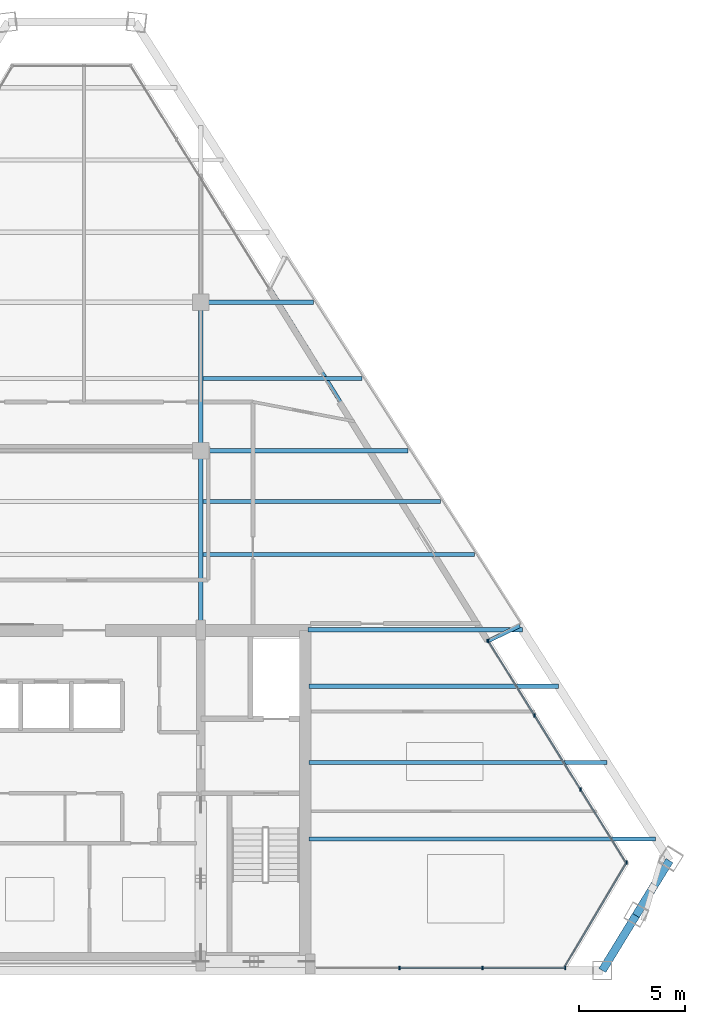
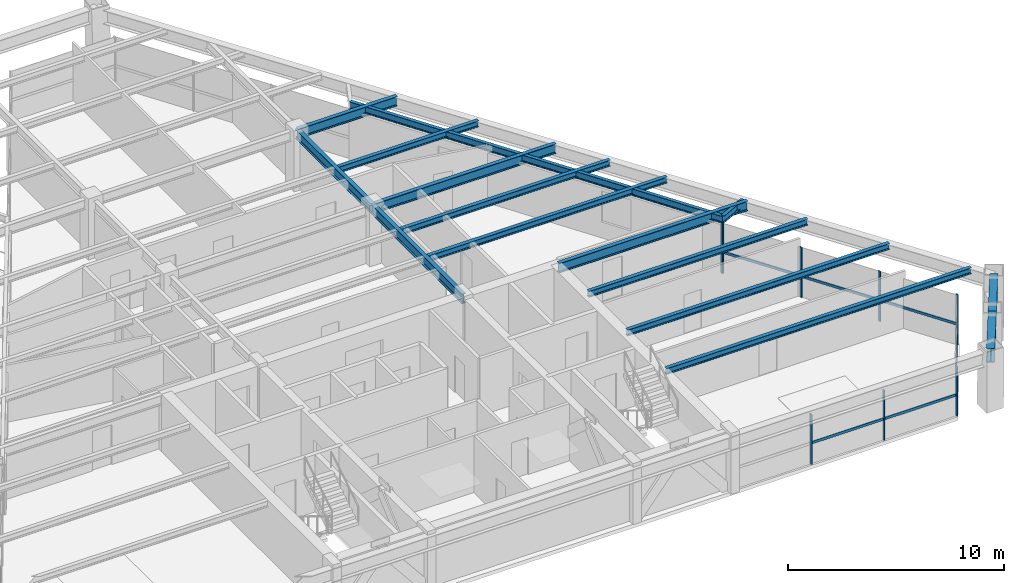
# One storey, part 4 of 12: 15 beams, 14 members, 3 elements without a shape of their own.
"""IFC4 building model written with IfcOpenShell, lengths in metres."""

from ifc_helpers import new_model, si_unit, direction, frame, origin, origin_2d, place, context, subcontext, project, spatial, rectangle, i_section, extrude, source, transform, mapped, material, material_profile, profile_set, type_object, type_shapes, element, aggregate, save


model = new_model("IFC4")

# Units and contexts
model_context = context("Model", 3, precision=1e-05, world=origin(), true_north=direction((0.0, 1.0)))
body_context = subcontext(model_context, "Body", "Model", "MODEL_VIEW")
ifc_project = project(units=[si_unit("LENGTHUNIT", "METRE"), si_unit("AREAUNIT", "SQUARE_METRE"), si_unit("VOLUMEUNIT", "CUBIC_METRE"), si_unit("PLANEANGLEUNIT", "RADIAN"), si_unit("MASSUNIT", "GRAM", prefix="KILO")], contexts=[model_context])

# Site, building, storey
site_placement = place(None, origin())
site = spatial("IfcSite", under=ifc_project, at=site_placement, CompositionType="ELEMENT")
building_placement = place(site_placement, origin())
building = spatial("IfcBuilding", under=site, at=building_placement, Name="Varnakhor Terracotta Tower", CompositionType="ELEMENT")
storey_placement = place(building_placement, frame((0.0, 0.0, 230.35009765625)))
storey = spatial("IfcBuildingStorey", under=building, at=storey_placement, Name="L59", CompositionType="ELEMENT", Elevation=230.35009765625)

# Beams
ifc_material_1 = material(Name="Steel S355", Category="steel")
ifc_material_profile_1 = material_profile(ifc_material_1, i_section(OverallWidth=0.214111328125, OverallDepth=0.549072265625, WebThickness=0.014892578125, FlangeThickness=0.02392578125, FilletRadius=0.01806640625, at=origin_2d()), Name="W21X93")
ifc_profile_set_1 = profile_set([ifc_material_profile_1], Name="Steel S355")
beam_type_1 = type_object("IfcBeamType", Name="BM-W21X93", PredefinedType="BEAM", material=ifc_profile_set_1)
shared_shape_1 = source(origin(), body_context, "Body", "SweptSolid", [
    extrude(i_section(OverallWidth=0.214111328125, OverallDepth=0.549072265625, WebThickness=0.014892578125, FlangeThickness=0.02392578125, FilletRadius=0.01806640625, at=origin_2d()), origin(), (0.0, 0.0, 1.0), 8.449951171875),
])
type_shapes(beam_type_1, [shared_shape_1])
beam_1_placement = place(storey_placement, frame((5.5, 16.050048828125, 2.96533203125), z_axis=(0.0, 1.0, 0.0), x_axis=(-1.0, 0.0, 0.0)))
element("IfcBeam", 1, at=beam_1_placement, inside=storey, type_object=beam_type_1, Name="L59 Primary Girder NS1-E", PredefinedType="BEAM", context=body_context, shape_type="MappedRepresentation", body=[
    mapped(shared_shape_1, transform((0.0, 0.0, 0.0), scale=1.0)),
])
shared_shape_2 = source(origin(), body_context, "Body", "SweptSolid", [
    extrude(i_section(OverallWidth=0.214111328125, OverallDepth=0.549072265625, WebThickness=0.014892578125, FlangeThickness=0.02392578125, FilletRadius=0.01806640625, at=origin_2d()), origin(), (0.0, 0.0, 1.0), 7.0),
])
beam_2_placement = place(storey_placement, frame((5.5, 24.5, 2.96533203125), z_axis=(0.0, 1.0, 0.0), x_axis=(-1.0, 0.0, 0.0)))
element("IfcBeam", 2, at=beam_2_placement, inside=storey, type_object=beam_type_1, Name="L59 Primary Girder NS2-E", PredefinedType="BEAM", context=body_context, shape_type="MappedRepresentation", body=[
    mapped(shared_shape_2, transform((0.0, 0.0, 0.0), scale=1.0)),
])
ifc_material_profile_2 = material_profile(ifc_material_1, i_section(OverallWidth=0.381103515625, OverallDepth=0.77294921875, WebThickness=0.01708984375, FlangeThickness=0.027099609375, FilletRadius=0.01806640625, at=origin_2d()), Name="W30X173")
ifc_profile_set_2 = profile_set([ifc_material_profile_2], Name="Steel S355")
beam_type_2 = type_object("IfcBeamType", Name="BM-W30X173", PredefinedType="BEAM", material=ifc_profile_set_2)
shared_shape_3 = source(origin(), body_context, "Body", "SweptSolid", [
    extrude(i_section(OverallWidth=0.381103515625, OverallDepth=0.77294921875, WebThickness=0.01708984375, FlangeThickness=0.027099609375, FilletRadius=0.01806640625, at=origin_2d()), origin(), (0.0, 0.0, 1.0), 3.03369140625),
])
for number, where, z_axis, x_axis, name in (
    (3, (24.42431640625, 0.0, 2.853515625), (0.521567192562, 0.8532102107, 0.0), (-0.8532102107, 0.521567192562, 0.0), "L59 Perimeter Spandrel 2"),
    (4, (26.006591796875, 2.58837890625, 2.853515625), (0.52147279522, 0.853267908599, 0.0), (-0.853267908599, 0.52147279522, 0.0), "L59 Perimeter Spandrel 3"),
):
    element("IfcBeam", number, at=place(storey_placement, frame(where, z_axis=z_axis, x_axis=x_axis)), inside=storey, type_object=beam_type_2, Name=name, PredefinedType="BEAM", context=body_context, shape_type="MappedRepresentation", body=[
        mapped(shared_shape_3, transform((0.0, 0.0, 0.0), scale=1.0)),
    ])
ifc_material_profile_3 = material_profile(ifc_material_1, i_section(OverallWidth=0.179931640625, OverallDepth=0.39990234375, WebThickness=0.008544921875, FlangeThickness=0.013427734375, FilletRadius=0.01806640625, at=origin_2d()), Name="IPE400")
ifc_profile_set_3 = profile_set([ifc_material_profile_3], Name="Steel S355")
beam_type_3 = type_object("IfcBeamType", Name="JST-IPE400", PredefinedType="JOIST", material=ifc_profile_set_3)
shared_shape_4 = source(origin(), body_context, "Body", "SweptSolid", [
    extrude(i_section(OverallWidth=0.179931640625, OverallDepth=0.39990234375, WebThickness=0.008544921875, FlangeThickness=0.013427734375, FilletRadius=0.01806640625, at=origin_2d()), origin(), (0.0, 0.0, 1.0), 19.572021484375),
])
beam_3_placement = place(storey_placement, frame((19.05615234375, 15.53759765625, 3.039794921875), z_axis=(-0.526909754256, 0.849921238039, 0.0), x_axis=(-0.849921238039, -0.526909754256, 0.0)))
element("IfcBeam", 5, at=beam_3_placement, inside=storey, type_object=beam_type_3, Name="L59 Loggia Edge Beam 1", PredefinedType="JOIST", context=body_context, shape_type="MappedRepresentation", body=[
    mapped(shared_shape_4, transform((0.0, 0.0, 0.0), scale=1.0)),
])
shared_shape_5 = source(origin(), body_context, "Body", "SweptSolid", [
    extrude(i_section(OverallWidth=0.214111328125, OverallDepth=0.549072265625, WebThickness=0.014892578125, FlangeThickness=0.02392578125, FilletRadius=0.01806640625, at=origin_2d()), origin(), (0.0, 0.0, 1.0), 10.107177734375),
])
beam_4_placement = place(storey_placement, frame((10.550048828125, 16.050048828125, 2.96533203125), z_axis=(1.0, 0.0, 0.0), x_axis=(0.0, 1.0, 0.0)))
element("IfcBeam", 6, at=beam_4_placement, inside=storey, type_object=beam_type_1, Name="L59 Wing Girder E", PredefinedType="BEAM", context=body_context, shape_type="MappedRepresentation", body=[
    mapped(shared_shape_5, transform((0.0, 0.0, 0.0), scale=1.0)),
])
shared_shape_6 = source(origin(), body_context, "Body", "SweptSolid", [
    extrude(i_section(OverallWidth=0.214111328125, OverallDepth=0.549072265625, WebThickness=0.014892578125, FlangeThickness=0.02392578125, FilletRadius=0.01806640625, at=origin_2d()), origin(), (0.0, 0.0, 1.0), 9.7705078125),
])
beam_5_placement = place(storey_placement, frame((5.5, 24.5, 2.96533203125), z_axis=(1.0, 0.0, 0.0), x_axis=(0.0, 1.0, 0.0)))
element("IfcBeam", 7, at=beam_5_placement, inside=storey, type_object=beam_type_1, Name="L59 Primary Girder EW2-3", PredefinedType="BEAM", context=body_context, shape_type="MappedRepresentation", body=[
    mapped(shared_shape_6, transform((0.0, 0.0, 0.0), scale=1.0)),
])
shared_shape_7 = source(origin(), body_context, "Body", "SweptSolid", [
    extrude(i_section(OverallWidth=0.214111328125, OverallDepth=0.549072265625, WebThickness=0.014892578125, FlangeThickness=0.02392578125, FilletRadius=0.01806640625, at=origin_2d()), origin(), (0.0, 0.0, 1.0), 5.30810546875),
])
beam_6_placement = place(storey_placement, frame((5.5, 31.5, 2.96533203125), z_axis=(1.0, 0.0, 0.0), x_axis=(0.0, 1.0, 0.0)))
element("IfcBeam", 8, at=beam_6_placement, inside=storey, type_object=beam_type_1, Name="L59 Primary Girder EW3-3", PredefinedType="BEAM", context=body_context, shape_type="MappedRepresentation", body=[
    mapped(shared_shape_7, transform((0.0, 0.0, 0.0), scale=1.0)),
])
ifc_material_profile_4 = material_profile(ifc_material_1, i_section(OverallWidth=0.202880859375, OverallDepth=0.346923828125, WebThickness=0.0078125, FlangeThickness=0.013427734375, FilletRadius=0.01806640625, at=origin_2d()), Name="W14X43")
ifc_profile_set_4 = profile_set([ifc_material_profile_4], Name="Steel S355")
beam_type_4 = type_object("IfcBeamType", Name="JST-W14X43", PredefinedType="JOIST", material=ifc_profile_set_4)
shared_shape_8 = source(origin(), body_context, "Body", "SweptSolid", [
    extrude(i_section(OverallWidth=0.202880859375, OverallDepth=0.346923828125, WebThickness=0.0078125, FlangeThickness=0.013427734375, FilletRadius=0.01806640625, at=origin_2d()), origin(), (0.0, 0.0, 1.0), 16.336181640625),
])
beam_7_placement = place(storey_placement, frame((10.60009765625, 6.199951171875, 3.06640625), z_axis=(1.0, 0.0, 0.0), x_axis=(0.0, 1.0, 0.0)))
element("IfcBeam", 9, at=beam_7_placement, inside=storey, type_object=beam_type_4, Name="L59 Floor Joist E1", PredefinedType="JOIST", context=body_context, shape_type="MappedRepresentation", body=[
    mapped(shared_shape_8, transform((0.0, 0.0, 0.0), scale=1.0)),
])
shared_shape_9 = source(origin(), body_context, "Body", "SweptSolid", [
    extrude(i_section(OverallWidth=0.202880859375, OverallDepth=0.346923828125, WebThickness=0.0078125, FlangeThickness=0.013427734375, FilletRadius=0.01806640625, at=origin_2d()), origin(), (0.0, 0.0, 1.0), 14.04150390625),
])
beam_8_placement = place(storey_placement, frame((10.60009765625, 9.800048828125, 3.06640625), z_axis=(1.0, 0.0, 0.0), x_axis=(0.0, 1.0, 0.0)))
element("IfcBeam", 10, at=beam_8_placement, inside=storey, type_object=beam_type_4, Name="L59 Floor Joist E2", PredefinedType="JOIST", context=body_context, shape_type="MappedRepresentation", body=[
    mapped(shared_shape_9, transform((0.0, 0.0, 0.0), scale=1.0)),
])
shared_shape_10 = source(origin(), body_context, "Body", "SweptSolid", [
    extrude(i_section(OverallWidth=0.202880859375, OverallDepth=0.346923828125, WebThickness=0.0078125, FlangeThickness=0.013427734375, FilletRadius=0.01806640625, at=origin_2d()), origin(), (0.0, 0.0, 1.0), 11.74658203125),
])
beam_9_placement = place(storey_placement, frame((10.60009765625, 13.39990234375, 3.06640625), z_axis=(1.0, 0.0, 0.0), x_axis=(0.0, 1.0, 0.0)))
element("IfcBeam", 11, at=beam_9_placement, inside=storey, type_object=beam_type_4, Name="L59 Floor Joist E3", PredefinedType="JOIST", context=body_context, shape_type="MappedRepresentation", body=[
    mapped(shared_shape_10, transform((0.0, 0.0, 0.0), scale=1.0)),
])
shared_shape_11 = source(origin(), body_context, "Body", "SweptSolid", [
    extrude(i_section(OverallWidth=0.202880859375, OverallDepth=0.346923828125, WebThickness=0.0078125, FlangeThickness=0.013427734375, FilletRadius=0.01806640625, at=origin_2d()), origin(), (0.0, 0.0, 1.0), 12.791259765625),
])
beam_10_placement = place(storey_placement, frame((5.60302734375, 19.60009765625, 3.06640625), z_axis=(1.0, 0.0, 0.0), x_axis=(0.0, 1.0, 0.0)))
element("IfcBeam", 12, at=beam_10_placement, inside=storey, type_object=beam_type_4, Name="L59 Composite Floor Joist 4-3", PredefinedType="JOIST", context=body_context, shape_type="MappedRepresentation", body=[
    mapped(shared_shape_11, transform((0.0, 0.0, 0.0), scale=1.0)),
])
shared_shape_12 = source(origin(), body_context, "Body", "SweptSolid", [
    extrude(i_section(OverallWidth=0.202880859375, OverallDepth=0.346923828125, WebThickness=0.0078125, FlangeThickness=0.013427734375, FilletRadius=0.01806640625, at=origin_2d()), origin(), (0.0, 0.0, 1.0), 11.197509765625),
])
beam_11_placement = place(storey_placement, frame((5.60302734375, 22.10009765625, 3.06640625), z_axis=(1.0, 0.0, 0.0), x_axis=(0.0, 1.0, 0.0)))
element("IfcBeam", 13, at=beam_11_placement, inside=storey, type_object=beam_type_4, Name="L59 Composite Floor Joist 5-3", PredefinedType="JOIST", context=body_context, shape_type="MappedRepresentation", body=[
    mapped(shared_shape_12, transform((0.0, 0.0, 0.0), scale=1.0)),
])
shared_shape_13 = source(origin(), body_context, "Body", "SweptSolid", [
    extrude(i_section(OverallWidth=0.202880859375, OverallDepth=0.346923828125, WebThickness=0.0078125, FlangeThickness=0.013427734375, FilletRadius=0.01806640625, at=origin_2d()), origin(), (0.0, 0.0, 1.0), 7.5),
])
beam_12_placement = place(storey_placement, frame((5.60302734375, 27.89990234375, 3.06640625), z_axis=(1.0, 0.0, 0.0), x_axis=(0.0, 1.0, 0.0)))
element("IfcBeam", 14, at=beam_12_placement, inside=storey, type_object=beam_type_4, Name="L59 Composite Floor Joist 6-3", PredefinedType="JOIST", context=body_context, shape_type="MappedRepresentation", body=[
    mapped(shared_shape_13, transform((0.0, 0.0, 0.0), scale=1.0)),
])

# Curtain wall, member
ifc_material_2 = material(Name="Anodised Aluminium Curtain Wall System", Category="aluminium")
curtain_wall_type = type_object("IfcCurtainWallType", Name="CW-SYS-HOTEL-LOGGIA", PredefinedType="NOTDEFINED", material=ifc_material_2)
curtain_wall_1_placement = place(storey_placement, origin())
curtain_wall_1 = element("IfcCurtainWall", 15, at=curtain_wall_1_placement, inside=storey, type_object=curtain_wall_type, Name="L59 South Wing Curtain Wall SSE", PredefinedType="NOTDEFINED")
ifc_material_3 = material(Name="Anodised Aluminium 6063-T6", Category="aluminium")
ifc_material_profile_5 = material_profile(ifc_material_3, rectangle(XDim=0.06494140625, YDim=0.14501953125, at=origin_2d()), Name="ALU TRANSOM 65x145")
ifc_profile_set_5 = profile_set([ifc_material_profile_5], Name="Anodised Aluminium 6063-T6")
member_type_1 = type_object("IfcMemberType", Name="CWT-04", PredefinedType="USERDEFINED", material=ifc_profile_set_5)
shared_shape_14 = source(origin(), body_context, "Body", "SweptSolid", [
    extrude(rectangle(XDim=0.06494140625, YDim=0.14501953125, at=origin_2d()), origin(), (0.0, 0.0, 1.0), 3.90234375),
])
member_1_placement = place(storey_placement, frame((22.6767578125, 0.1201171875, 1.184326171875), z_axis=(-1.0, 0.0, 0.0), x_axis=(0.0, -1.0, 0.0)))
member_1 = element("IfcMember", 16, at=member_1_placement, type_object=member_type_1, Name="L59 South Wing Curtain Wall SSE Transom 1", ObjectType="TRANSOM", PredefinedType="USERDEFINED", context=body_context, shape_type="MappedRepresentation", body=[
    mapped(shared_shape_14, transform((0.0, 0.0, 0.0), scale=1.0)),
])

# Curtain wall, members
curtain_wall_2_placement = place(storey_placement, origin())
curtain_wall_2 = element("IfcCurtainWall", 17, at=curtain_wall_2_placement, inside=storey, type_object=curtain_wall_type, Name="L59 E Facet Curtain Wall 2", PredefinedType="NOTDEFINED")
ifc_material_profile_6 = material_profile(ifc_material_3, rectangle(XDim=0.06494140625, YDim=0.159912109375, at=origin_2d()), Name="ALU MULLION 65x160")
ifc_profile_set_6 = profile_set([ifc_material_profile_6], Name="Anodised Aluminium 6063-T6")
member_type_2 = type_object("IfcMemberType", Name="CWM-04", PredefinedType="MULLION", material=ifc_profile_set_6)
shared_shape_15 = source(origin(), body_context, "Body", "SweptSolid", [
    extrude(rectangle(XDim=0.06494140625, YDim=0.159912109375, at=origin_2d()), origin(), (0.0, 0.0, 1.0), 2.81982421875),
])
member_2_placement = place(storey_placement, frame((19.048583984375, 15.5263671875, 0.0), z_axis=(0.0, 0.0, 1.0), x_axis=(1.0, 0.0, 0.0)))
member_2 = element("IfcMember", 18, at=member_2_placement, type_object=member_type_2, Name="L59 E Facet Curtain Wall 2 Mullion 1", PredefinedType="MULLION", context=body_context, shape_type="MappedRepresentation", body=[
    mapped(shared_shape_15, transform((0.0, 0.0, 0.0), scale=1.0)),
])
member_3_placement = place(storey_placement, frame((21.224609375, 12.025390625, 0.0), z_axis=(0.0, 0.0, 1.0), x_axis=(1.0, 0.0, 0.0)))
member_3 = element("IfcMember", 19, at=member_3_placement, type_object=member_type_2, Name="L59 E Facet Curtain Wall 2 Mullion 2", PredefinedType="MULLION", context=body_context, shape_type="MappedRepresentation", body=[
    mapped(shared_shape_15, transform((0.0, 0.0, 0.0), scale=1.0)),
])
member_4_placement = place(storey_placement, frame((23.400634765625, 8.524658203125, 0.0), z_axis=(0.0, 0.0, 1.0), x_axis=(1.0, 0.0, 0.0)))
member_4 = element("IfcMember", 20, at=member_4_placement, type_object=member_type_2, Name="L59 E Facet Curtain Wall 2 Mullion 3", PredefinedType="MULLION", context=body_context, shape_type="MappedRepresentation", body=[
    mapped(shared_shape_15, transform((0.0, 0.0, 0.0), scale=1.0)),
])
member_5_placement = place(storey_placement, frame((19.015625, 15.541259765625, 0.0), z_axis=(0.0, 0.0, 1.0), x_axis=(1.0, 0.0, 0.0)))
member_5 = element("IfcMember", 21, at=member_5_placement, type_object=member_type_2, Name="L59 E Loggia Jamb Closure Mullion 2", PredefinedType="MULLION", context=body_context, shape_type="MappedRepresentation", body=[
    mapped(shared_shape_15, transform((0.0, 0.0, 0.0), scale=1.0)),
])

# Curtain wall, member
curtain_wall_3_placement = place(storey_placement, origin())
curtain_wall_3 = element("IfcCurtainWall", 22, at=curtain_wall_3_placement, inside=storey, type_object=curtain_wall_type, Name="L59 Facet Curtain Wall 4", PredefinedType="NOTDEFINED")
member_6_placement = place(storey_placement, frame((25.575927734375, 5.09716796875, 0.0), z_axis=(0.0, 0.0, 1.0), x_axis=(1.0, 0.0, 0.0)))
member_6 = element("IfcMember", 23, at=member_6_placement, type_object=member_type_2, Name="L59 Facet Curtain Wall 4 Mullion 1", PredefinedType="MULLION", context=body_context, shape_type="MappedRepresentation", body=[
    mapped(shared_shape_15, transform((0.0, 0.0, 0.0), scale=1.0)),
])

# Member
member_7_placement = place(storey_placement, frame((22.6767578125, 0.1201171875, 0.0), z_axis=(0.0, 0.0, 1.0), x_axis=(1.0, 0.0, 0.0)))
member_7 = element("IfcMember", 24, at=member_7_placement, type_object=member_type_2, Name="L59 South Wing Curtain Wall SSE Mullion 1", PredefinedType="MULLION", context=body_context, shape_type="MappedRepresentation", body=[
    mapped(shared_shape_15, transform((0.0, 0.0, 0.0), scale=1.0)),
])

member_8_placement = place(storey_placement, frame((18.7744140625, 0.1201171875, 0.0), z_axis=(0.0, 0.0, 1.0), x_axis=(1.0, 0.0, 0.0)))
member_8 = element("IfcMember", 25, at=member_8_placement, type_object=member_type_2, Name="L59 South Wing Curtain Wall SSE Mullion 2", PredefinedType="MULLION", context=body_context, shape_type="MappedRepresentation", body=[
    mapped(shared_shape_15, transform((0.0, 0.0, 0.0), scale=1.0)),
])

member_9_placement = place(storey_placement, frame((14.872314453125, 0.1201171875, 0.0), z_axis=(0.0, 0.0, 1.0), x_axis=(1.0, 0.0, 0.0)))
member_9 = element("IfcMember", 26, at=member_9_placement, type_object=member_type_2, Name="L59 South Wing Curtain Wall SSE Mullion 3", PredefinedType="MULLION", context=body_context, shape_type="MappedRepresentation", body=[
    mapped(shared_shape_15, transform((0.0, 0.0, 0.0), scale=1.0)),
])

shared_shape_16 = source(origin(), body_context, "Body", "SweptSolid", [
    extrude(rectangle(XDim=0.06494140625, YDim=0.14501953125, at=origin_2d()), origin(), (0.0, 0.0, 1.0), 4.1220703125),
])
member_10_placement = place(storey_placement, frame((19.048583984375, 15.5263671875, 1.184326171875), z_axis=(0.527889091736, -0.849313314876, 0.0), x_axis=(0.849313314876, 0.527889091736, 0.0)))
member_10 = element("IfcMember", 27, at=member_10_placement, type_object=member_type_1, Name="L59 E Facet Curtain Wall 2 Transom 1", ObjectType="TRANSOM", PredefinedType="USERDEFINED", context=body_context, shape_type="MappedRepresentation", body=[
    mapped(shared_shape_16, transform((0.0, 0.0, 0.0), scale=1.0)),
])

member_11_placement = place(storey_placement, frame((23.400634765625, 8.524658203125, 1.184326171875), z_axis=(0.527889091736, -0.849313314876, 0.0), x_axis=(0.849313314876, 0.527889091736, 0.0)))
member_11 = element("IfcMember", 28, at=member_11_placement, type_object=member_type_1, Name="L59 E Facet Curtain Wall 2 Transom 3", ObjectType="TRANSOM", PredefinedType="USERDEFINED", context=body_context, shape_type="MappedRepresentation", body=[
    mapped(shared_shape_16, transform((0.0, 0.0, 0.0), scale=1.0)),
])

shared_shape_17 = source(origin(), body_context, "Body", "SweptSolid", [
    extrude(rectangle(XDim=0.06494140625, YDim=0.14501953125, at=origin_2d()), origin(), (0.0, 0.0, 1.0), 4.121826171875),
])
member_12_placement = place(storey_placement, frame((21.224609375, 12.025390625, 1.184326171875), z_axis=(0.52791564678, -0.849296809063, 0.0), x_axis=(0.849296809063, 0.52791564678, 0.0)))
member_12 = element("IfcMember", 29, at=member_12_placement, type_object=member_type_1, Name="L59 E Facet Curtain Wall 2 Transom 2", ObjectType="TRANSOM", PredefinedType="USERDEFINED", context=body_context, shape_type="MappedRepresentation", body=[
    mapped(shared_shape_17, transform((0.0, 0.0, 0.0), scale=1.0)),
])

aggregate(curtain_wall_2, [member_2, member_10, member_3, member_12, member_4, member_11, member_5])

shared_shape_18 = source(origin(), body_context, "Body", "SweptSolid", [
    extrude(rectangle(XDim=0.06494140625, YDim=0.14501953125, at=origin_2d()), origin(), (0.0, 0.0, 1.0), 5.82763671875),
])
member_13_placement = place(storey_placement, frame((25.575927734375, 5.09716796875, 1.184326171875), z_axis=(-0.510806847422, -0.859695506925, 0.0), x_axis=(0.859695506925, -0.510806847422, 0.0)))
member_13 = element("IfcMember", 30, at=member_13_placement, type_object=member_type_1, Name="L59 Facet Curtain Wall 4 Transom 1", ObjectType="TRANSOM", PredefinedType="USERDEFINED", context=body_context, shape_type="MappedRepresentation", body=[
    mapped(shared_shape_18, transform((0.0, 0.0, 0.0), scale=1.0)),
])

aggregate(curtain_wall_3, [member_6, member_13])

shared_shape_19 = source(origin(), body_context, "Body", "SweptSolid", [
    extrude(rectangle(XDim=0.06494140625, YDim=0.14501953125, at=origin_2d()), origin(), (0.0, 0.0, 1.0), 3.902099609375),
])
member_14_placement = place(storey_placement, frame((18.7744140625, 0.1201171875, 1.184326171875), z_axis=(-1.0, 0.0, 0.0), x_axis=(0.0, -1.0, 0.0)))
member_14 = element("IfcMember", 31, at=member_14_placement, type_object=member_type_1, Name="L59 South Wing Curtain Wall SSE Transom 2", ObjectType="TRANSOM", PredefinedType="USERDEFINED", context=body_context, shape_type="MappedRepresentation", body=[
    mapped(shared_shape_19, transform((0.0, 0.0, 0.0), scale=1.0)),
])

aggregate(curtain_wall_1, [member_7, member_1, member_8, member_14, member_9])

# Beam
shared_shape_20 = source(origin(), body_context, "Body", "SweptSolid", [
    extrude(i_section(OverallWidth=0.179931640625, OverallDepth=0.39990234375, WebThickness=0.008544921875, FlangeThickness=0.013427734375, FilletRadius=0.01806640625, at=origin_2d()), origin(), (0.0, 0.0, 1.0), 1.637451171875),
])
beam_13_placement = place(storey_placement, frame((19.05615234375, 15.53759765625, 3.039794921875), z_axis=(0.902275462015, 0.431160052238, 0.0), x_axis=(-0.431160052238, 0.902275462015, 0.0)))
element("IfcBeam", 32, at=beam_13_placement, inside=storey, type_object=beam_type_3, Name="L60 E Loggia Tie Beam 2", PredefinedType="JOIST", context=body_context, shape_type="MappedRepresentation", body=[
    mapped(shared_shape_20, transform((0.0, 0.0, 0.0), scale=1.0)),
])

save(model, "model.ifc")
